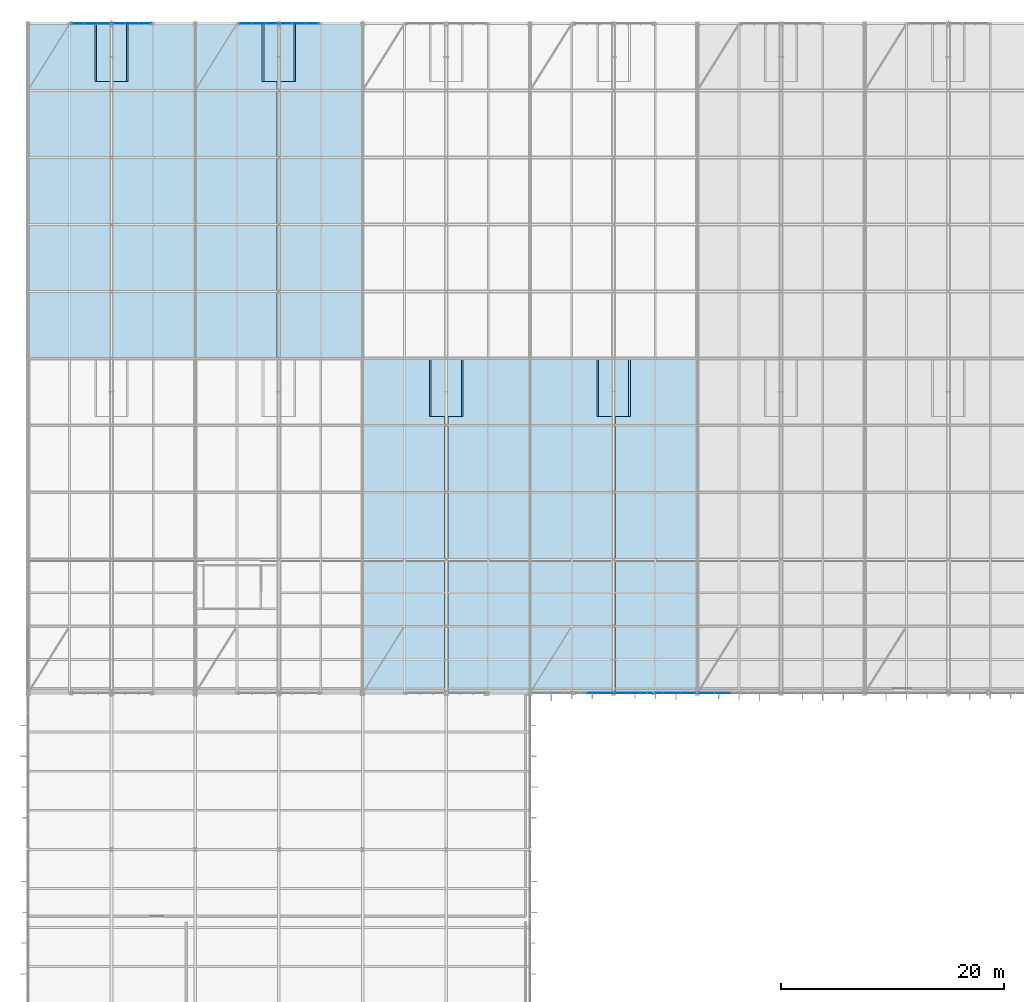
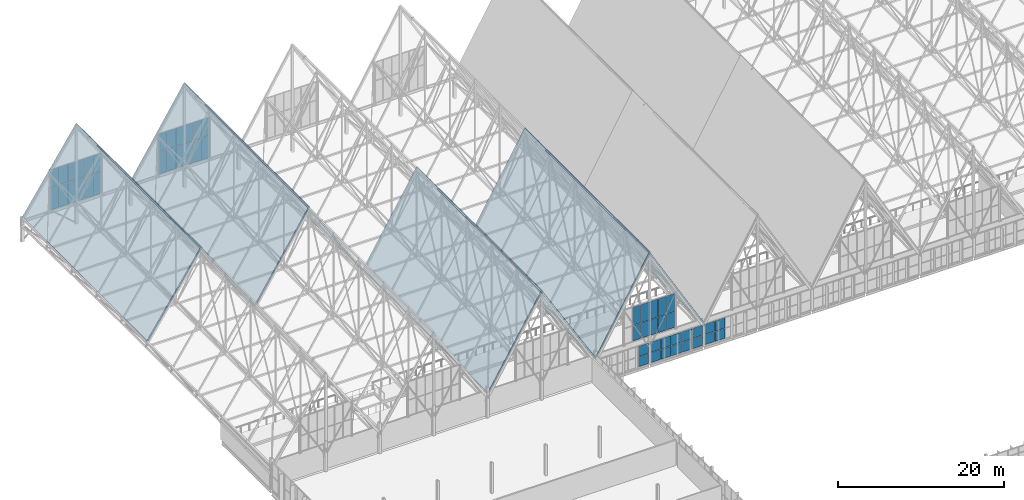
# One storey, part 274 of 324: 58 plates, 8 slabs, 6 elements without a shape of their own.
"""IFC4 building model written with IfcOpenShell, lengths in metres."""

from ifc_helpers import new_model, si_unit, direction, frame, origin, origin_2d, place, context, subcontext, project, spatial, polyline, rectangle, outline, extrude, material, layer, layer_set, type_object, element, aggregate, save


model = new_model("IFC4")

# Units and contexts
model_context = context("Model", 3, precision=1e-05, world=origin(), true_north=direction((0.0, 1.0)))
body_context = subcontext(model_context, "Body", "Model", "MODEL_VIEW")
ifc_project = project(units=[si_unit("LENGTHUNIT", "METRE"), si_unit("AREAUNIT", "SQUARE_METRE"), si_unit("VOLUMEUNIT", "CUBIC_METRE"), si_unit("PLANEANGLEUNIT", "RADIAN"), si_unit("MASSUNIT", "GRAM", prefix="KILO")], contexts=[model_context])

# Site, building, storey
site_placement = place(None, origin())
site = spatial("IfcSite", under=ifc_project, at=site_placement, CompositionType="ELEMENT")
building_placement = place(site_placement, origin())
building = spatial("IfcBuilding", under=site, at=building_placement, Name="Solvenia Promenade Tram Depot", CompositionType="ELEMENT")
storey_placement = place(building_placement, frame((0.0, 0.0, 4.5)))
storey = spatial("IfcBuildingStorey", under=building, at=storey_placement, Name="L01", CompositionType="ELEMENT", Elevation=4.5)

# Curtain wall, plates
ifc_material_1 = material(Name="Anodized aluminium AW-6063 T6", Category="aluminium")
ifc_layer_1 = layer(ifc_material_1, 0.159912109375, Name="Anodized aluminium AW-6063 T6", Category="aluminium")
ifc_layer_set_1 = layer_set([ifc_layer_1], Name="Anodized aluminium AW-6063 T6")
curtain_wall_type_1 = type_object("IfcCurtainWallType", Name="CW-Channel-1500", PredefinedType="NOTDEFINED", material=ifc_layer_set_1)
curtain_wall_1_placement = place(storey_placement, origin())
curtain_wall_1 = element("IfcCurtainWall", 1, at=curtain_wall_1_placement, inside=storey, type_object=curtain_wall_type_1, Name="Curtain Wall CW-V1S1-01", PredefinedType="NOTDEFINED")
ifc_material_2 = material(Name="Low-iron translucent U-profile channel glass", Category="glass")
ifc_layer_2 = layer(ifc_material_2, 0.028076171875, Name="Low-iron translucent U-profile channel glass", Category="glass")
ifc_layer_set_2 = layer_set([ifc_layer_2], Name="Low-iron translucent U-profile channel glass")
plate_type_1 = type_object("IfcPlateType", Name="CWP-Panel-1", PredefinedType="CURTAIN_PANEL", material=ifc_layer_set_2)
plate_1_placement = place(storey_placement, frame((51.673583984375, 66.0, 0.06494140625), z_axis=(0.0, 0.0, 1.0), x_axis=(1.0, 0.0, 0.0)))
plate_1 = element("IfcPlate", 2, at=plate_1_placement, type_object=plate_type_1, Name="CW-2 panel 5.1", PredefinedType="CURTAIN_PANEL", context=body_context, shape_type="SweptSolid", body=[
    extrude(rectangle(XDim=1.39306640625, YDim=0.028076171875, at=origin_2d()), origin(), (0.0, 0.0, 1.0), 1.452392578125),
])
plate_2_placement = place(storey_placement, frame((51.673583984375, 66.0, 1.58251953125), z_axis=(0.0, 0.0, 1.0), x_axis=(1.0, 0.0, 0.0)))
plate_2 = element("IfcPlate", 3, at=plate_2_placement, type_object=plate_type_1, Name="CW-2 panel 5.2", PredefinedType="CURTAIN_PANEL", context=body_context, shape_type="SweptSolid", body=[
    extrude(rectangle(XDim=1.39306640625, YDim=0.028076171875, at=origin_2d()), origin(), (0.0, 0.0, 1.0), 1.50244140625),
])
aggregate(curtain_wall_1, [plate_1, plate_2])

curtain_wall_2_placement = place(storey_placement, origin())
curtain_wall_2 = element("IfcCurtainWall", 4, at=curtain_wall_2_placement, inside=storey, type_object=curtain_wall_type_1, Name="Curtain Wall CW-V1S1-02", PredefinedType="NOTDEFINED")
plate_3_placement = place(storey_placement, frame((53.326416015625, 66.0, 0.06494140625), z_axis=(0.0, 0.0, 1.0), x_axis=(1.0, 0.0, 0.0)))
plate_3 = element("IfcPlate", 5, at=plate_3_placement, type_object=plate_type_1, Name="CW-2 panel 1.1", PredefinedType="CURTAIN_PANEL", context=body_context, shape_type="SweptSolid", body=[
    extrude(rectangle(XDim=1.39306640625, YDim=0.028076171875, at=origin_2d()), origin(), (0.0, 0.0, 1.0), 1.452392578125),
])
plate_4_placement = place(storey_placement, frame((53.326416015625, 66.0, 1.58251953125), z_axis=(0.0, 0.0, 1.0), x_axis=(1.0, 0.0, 0.0)))
plate_4 = element("IfcPlate", 6, at=plate_4_placement, type_object=plate_type_1, Name="CW-2 panel 1.2", PredefinedType="CURTAIN_PANEL", context=body_context, shape_type="SweptSolid", body=[
    extrude(rectangle(XDim=1.39306640625, YDim=0.028076171875, at=origin_2d()), origin(), (0.0, 0.0, 1.0), 1.50244140625),
])
plate_5_placement = place(storey_placement, frame((54.781982421875, 66.0, 0.06494140625), z_axis=(0.0, 0.0, 1.0), x_axis=(1.0, 0.0, 0.0)))
plate_5 = element("IfcPlate", 7, at=plate_5_placement, type_object=plate_type_1, Name="CW-2 panel 2.1", PredefinedType="CURTAIN_PANEL", context=body_context, shape_type="SweptSolid", body=[
    extrude(rectangle(XDim=1.41796875, YDim=0.028076171875, at=origin_2d()), origin(), (0.0, 0.0, 1.0), 1.452392578125),
])
plate_6_placement = place(storey_placement, frame((54.781982421875, 66.0, 1.58251953125), z_axis=(0.0, 0.0, 1.0), x_axis=(1.0, 0.0, 0.0)))
plate_6 = element("IfcPlate", 8, at=plate_6_placement, type_object=plate_type_1, Name="CW-2 panel 2.2", PredefinedType="CURTAIN_PANEL", context=body_context, shape_type="SweptSolid", body=[
    extrude(rectangle(XDim=1.41796875, YDim=0.028076171875, at=origin_2d()), origin(), (0.0, 0.0, 1.0), 1.50244140625),
])
plate_7_placement = place(storey_placement, frame((56.25, 66.0, 0.06494140625), z_axis=(0.0, 0.0, 1.0), x_axis=(1.0, 0.0, 0.0)))
plate_7 = element("IfcPlate", 9, at=plate_7_placement, type_object=plate_type_1, Name="CW-2 panel 3.1", PredefinedType="CURTAIN_PANEL", context=body_context, shape_type="SweptSolid", body=[
    extrude(rectangle(XDim=1.41796875, YDim=0.028076171875, at=origin_2d()), origin(), (0.0, 0.0, 1.0), 1.452392578125),
])
plate_8_placement = place(storey_placement, frame((56.25, 66.0, 1.58251953125), z_axis=(0.0, 0.0, 1.0), x_axis=(1.0, 0.0, 0.0)))
plate_8 = element("IfcPlate", 10, at=plate_8_placement, type_object=plate_type_1, Name="CW-2 panel 3.2", PredefinedType="CURTAIN_PANEL", context=body_context, shape_type="SweptSolid", body=[
    extrude(rectangle(XDim=1.41796875, YDim=0.028076171875, at=origin_2d()), origin(), (0.0, 0.0, 1.0), 1.50244140625),
])
plate_9_placement = place(storey_placement, frame((57.718017578125, 66.0, 0.06494140625), z_axis=(0.0, 0.0, 1.0), x_axis=(1.0, 0.0, 0.0)))
plate_9 = element("IfcPlate", 11, at=plate_9_placement, type_object=plate_type_1, Name="CW-2 panel 4.1", PredefinedType="CURTAIN_PANEL", context=body_context, shape_type="SweptSolid", body=[
    extrude(rectangle(XDim=1.41796875, YDim=0.028076171875, at=origin_2d()), origin(), (0.0, 0.0, 1.0), 1.452392578125),
])
plate_10_placement = place(storey_placement, frame((57.718017578125, 66.0, 1.58251953125), z_axis=(0.0, 0.0, 1.0), x_axis=(1.0, 0.0, 0.0)))
plate_10 = element("IfcPlate", 12, at=plate_10_placement, type_object=plate_type_1, Name="CW-2 panel 4.2", PredefinedType="CURTAIN_PANEL", context=body_context, shape_type="SweptSolid", body=[
    extrude(rectangle(XDim=1.41796875, YDim=0.028076171875, at=origin_2d()), origin(), (0.0, 0.0, 1.0), 1.50244140625),
])
plate_11_placement = place(storey_placement, frame((59.173583984375, 66.0, 0.06494140625), z_axis=(0.0, 0.0, 1.0), x_axis=(1.0, 0.0, 0.0)))
plate_11 = element("IfcPlate", 13, at=plate_11_placement, type_object=plate_type_1, Name="CW-2 panel 5.1", PredefinedType="CURTAIN_PANEL", context=body_context, shape_type="SweptSolid", body=[
    extrude(rectangle(XDim=1.39306640625, YDim=0.028076171875, at=origin_2d()), origin(), (0.0, 0.0, 1.0), 1.452392578125),
])
plate_12_placement = place(storey_placement, frame((59.173583984375, 66.0, 1.58251953125), z_axis=(0.0, 0.0, 1.0), x_axis=(1.0, 0.0, 0.0)))
plate_12 = element("IfcPlate", 14, at=plate_12_placement, type_object=plate_type_1, Name="CW-2 panel 5.2", PredefinedType="CURTAIN_PANEL", context=body_context, shape_type="SweptSolid", body=[
    extrude(rectangle(XDim=1.39306640625, YDim=0.028076171875, at=origin_2d()), origin(), (0.0, 0.0, 1.0), 1.50244140625),
])
aggregate(curtain_wall_2, [plate_3, plate_4, plate_5, plate_6, plate_7, plate_8, plate_9, plate_10, plate_11, plate_12])

curtain_wall_3_placement = place(storey_placement, origin())
curtain_wall_3 = element("IfcCurtainWall", 15, at=curtain_wall_3_placement, inside=storey, type_object=curtain_wall_type_1, Name="Curtain Wall CW-V1S1-03", PredefinedType="NOTDEFINED")
plate_13_placement = place(storey_placement, frame((60.826416015625, 66.0, 0.06494140625), z_axis=(0.0, 0.0, 1.0), x_axis=(1.0, 0.0, 0.0)))
plate_13 = element("IfcPlate", 16, at=plate_13_placement, type_object=plate_type_1, Name="CW-2 panel 1.1", PredefinedType="CURTAIN_PANEL", context=body_context, shape_type="SweptSolid", body=[
    extrude(rectangle(XDim=1.39306640625, YDim=0.028076171875, at=origin_2d()), origin(), (0.0, 0.0, 1.0), 1.452392578125),
])
plate_14_placement = place(storey_placement, frame((60.826416015625, 66.0, 1.58251953125), z_axis=(0.0, 0.0, 1.0), x_axis=(1.0, 0.0, 0.0)))
plate_14 = element("IfcPlate", 17, at=plate_14_placement, type_object=plate_type_1, Name="CW-2 panel 1.2", PredefinedType="CURTAIN_PANEL", context=body_context, shape_type="SweptSolid", body=[
    extrude(rectangle(XDim=1.39306640625, YDim=0.028076171875, at=origin_2d()), origin(), (0.0, 0.0, 1.0), 1.50244140625),
])
plate_15_placement = place(storey_placement, frame((62.281982421875, 66.0, 0.06494140625), z_axis=(0.0, 0.0, 1.0), x_axis=(1.0, 0.0, 0.0)))
plate_15 = element("IfcPlate", 18, at=plate_15_placement, type_object=plate_type_1, Name="CW-2 panel 2.1", PredefinedType="CURTAIN_PANEL", context=body_context, shape_type="SweptSolid", body=[
    extrude(rectangle(XDim=1.41796875, YDim=0.028076171875, at=origin_2d()), origin(), (0.0, 0.0, 1.0), 1.452392578125),
])
plate_16_placement = place(storey_placement, frame((62.281982421875, 66.0, 1.58251953125), z_axis=(0.0, 0.0, 1.0), x_axis=(1.0, 0.0, 0.0)))
plate_16 = element("IfcPlate", 19, at=plate_16_placement, type_object=plate_type_1, Name="CW-2 panel 2.2", PredefinedType="CURTAIN_PANEL", context=body_context, shape_type="SweptSolid", body=[
    extrude(rectangle(XDim=1.41796875, YDim=0.028076171875, at=origin_2d()), origin(), (0.0, 0.0, 1.0), 1.50244140625),
])
aggregate(curtain_wall_3, [plate_13, plate_14, plate_15, plate_16])

ifc_layer_3 = layer(ifc_material_1, 0.14990234375, Name="Anodized aluminium AW-6063 T6", Category="aluminium")
ifc_layer_set_3 = layer_set([ifc_layer_3], Name="Anodized aluminium AW-6063 T6")
curtain_wall_type_2 = type_object("IfcCurtainWallType", Name="CW-Gable-1200", PredefinedType="NOTDEFINED", material=ifc_layer_set_3)
curtain_wall_4_placement = place(storey_placement, origin())
curtain_wall_4 = element("IfcCurtainWall", 20, at=curtain_wall_4_placement, inside=storey, type_object=curtain_wall_type_2, Name="South Zigzag Gable 04 Peak Glazing", PredefinedType="NOTDEFINED")
plate_17_placement = place(storey_placement, frame((50.699951171875, 66.0, 4.10791015625), z_axis=(0.0, 0.0, 1.0), x_axis=(1.0, 0.0, 0.0)))
plate_17 = element("IfcPlate", 21, at=plate_17_placement, type_object=plate_type_1, Name="CW-3 panel 2.1", PredefinedType="CURTAIN_PANEL", context=body_context, shape_type="SweptSolid", body=[
    extrude(rectangle(XDim=1.152099609375, YDim=0.028076171875, at=origin_2d()), origin(), (0.0, 0.0, 1.0), 2.262939453125),
])
plate_18_placement = place(storey_placement, frame((50.699951171875, 66.0, 6.428955078125), z_axis=(0.0, 0.0, 1.0), x_axis=(1.0, 0.0, 0.0)))
plate_18 = element("IfcPlate", 22, at=plate_18_placement, type_object=plate_type_1, Name="CW-3 panel 2.2", PredefinedType="CURTAIN_PANEL", context=body_context, shape_type="SweptSolid", body=[
    extrude(rectangle(XDim=1.152099609375, YDim=0.028076171875, at=origin_2d()), origin(), (0.0, 0.0, 1.0), 2.6630859375),
])
plate_19_placement = place(storey_placement, frame((51.89990234375, 66.0, 4.10791015625), z_axis=(0.0, 0.0, 1.0), x_axis=(1.0, 0.0, 0.0)))
plate_19 = element("IfcPlate", 23, at=plate_19_placement, type_object=plate_type_1, Name="CW-3 panel 3.1", PredefinedType="CURTAIN_PANEL", context=body_context, shape_type="SweptSolid", body=[
    extrude(rectangle(XDim=1.152099609375, YDim=0.028076171875, at=origin_2d()), origin(), (0.0, 0.0, 1.0), 2.262939453125),
])
plate_20_placement = place(storey_placement, frame((51.89990234375, 66.0, 6.428955078125), z_axis=(0.0, 0.0, 1.0), x_axis=(1.0, 0.0, 0.0)))
plate_20 = element("IfcPlate", 24, at=plate_20_placement, type_object=plate_type_1, Name="CW-3 panel 3.2", PredefinedType="CURTAIN_PANEL", context=body_context, shape_type="SweptSolid", body=[
    extrude(rectangle(XDim=1.152099609375, YDim=0.028076171875, at=origin_2d()), origin(), (0.0, 0.0, 1.0), 2.6630859375),
])
plate_21_placement = place(storey_placement, frame((53.10009765625, 66.0, 4.10791015625), z_axis=(0.0, 0.0, 1.0), x_axis=(1.0, 0.0, 0.0)))
plate_21 = element("IfcPlate", 25, at=plate_21_placement, type_object=plate_type_1, Name="CW-3 panel 4.1", PredefinedType="CURTAIN_PANEL", context=body_context, shape_type="SweptSolid", body=[
    extrude(rectangle(XDim=1.152099609375, YDim=0.028076171875, at=origin_2d()), origin(), (0.0, 0.0, 1.0), 2.262939453125),
])
plate_22_placement = place(storey_placement, frame((53.10009765625, 66.0, 6.428955078125), z_axis=(0.0, 0.0, 1.0), x_axis=(1.0, 0.0, 0.0)))
plate_22 = element("IfcPlate", 26, at=plate_22_placement, type_object=plate_type_1, Name="CW-3 panel 4.2", PredefinedType="CURTAIN_PANEL", context=body_context, shape_type="SweptSolid", body=[
    extrude(rectangle(XDim=1.152099609375, YDim=0.028076171875, at=origin_2d()), origin(), (0.0, 0.0, 1.0), 2.6630859375),
])
plate_23_placement = place(storey_placement, frame((54.300048828125, 66.0, 4.10791015625), z_axis=(0.0, 0.0, 1.0), x_axis=(1.0, 0.0, 0.0)))
plate_23 = element("IfcPlate", 27, at=plate_23_placement, type_object=plate_type_1, Name="CW-3 panel 5.1", PredefinedType="CURTAIN_PANEL", context=body_context, shape_type="SweptSolid", body=[
    extrude(rectangle(XDim=1.152099609375, YDim=0.028076171875, at=origin_2d()), origin(), (0.0, 0.0, 1.0), 2.262939453125),
])
plate_24_placement = place(storey_placement, frame((54.300048828125, 66.0, 6.428955078125), z_axis=(0.0, 0.0, 1.0), x_axis=(1.0, 0.0, 0.0)))
plate_24 = element("IfcPlate", 28, at=plate_24_placement, type_object=plate_type_1, Name="CW-3 panel 5.2", PredefinedType="CURTAIN_PANEL", context=body_context, shape_type="SweptSolid", body=[
    extrude(rectangle(XDim=1.152099609375, YDim=0.028076171875, at=origin_2d()), origin(), (0.0, 0.0, 1.0), 2.6630859375),
])
plate_25_placement = place(storey_placement, frame((55.488037109375, 66.0, 4.10791015625), z_axis=(0.0, 0.0, 1.0), x_axis=(1.0, 0.0, 0.0)))
plate_25 = element("IfcPlate", 29, at=plate_25_placement, type_object=plate_type_1, Name="CW-3 panel 6.1", PredefinedType="CURTAIN_PANEL", context=body_context, shape_type="SweptSolid", body=[
    extrude(rectangle(XDim=1.1279296875, YDim=0.028076171875, at=origin_2d()), origin(), (0.0, 0.0, 1.0), 2.262939453125),
])
plate_26_placement = place(storey_placement, frame((55.488037109375, 66.0, 6.428955078125), z_axis=(0.0, 0.0, 1.0), x_axis=(1.0, 0.0, 0.0)))
plate_26 = element("IfcPlate", 30, at=plate_26_placement, type_object=plate_type_1, Name="CW-3 panel 6.2", PredefinedType="CURTAIN_PANEL", context=body_context, shape_type="SweptSolid", body=[
    extrude(rectangle(XDim=1.1279296875, YDim=0.028076171875, at=origin_2d()), origin(), (0.0, 0.0, 1.0), 2.6630859375),
])
aggregate(curtain_wall_4, [plate_17, plate_18, plate_19, plate_20, plate_21, plate_22, plate_23, plate_24, plate_25, plate_26])

curtain_wall_5_placement = place(storey_placement, origin())
curtain_wall_5 = element("IfcCurtainWall", 31, at=curtain_wall_5_placement, inside=storey, type_object=curtain_wall_type_2, Name="North Zigzag Gable 01 Peak Glazing", PredefinedType="NOTDEFINED")
plate_27_placement = place(storey_placement, frame((4.511962890625, 126.0, 3.157958984375), z_axis=(0.0, 0.0, 1.0), x_axis=(1.0, 0.0, 0.0)))
plate_27 = element("IfcPlate", 32, at=plate_27_placement, type_object=plate_type_1, Name="CW-3 panel 1.1", PredefinedType="CURTAIN_PANEL", context=body_context, shape_type="SweptSolid", body=[
    extrude(rectangle(XDim=1.1279296875, YDim=0.028076171875, at=origin_2d()), origin(), (0.0, 0.0, 1.0), 3.212890625),
])
plate_28_placement = place(storey_placement, frame((4.511962890625, 126.0, 6.428955078125), z_axis=(0.0, 0.0, 1.0), x_axis=(1.0, 0.0, 0.0)))
plate_28 = element("IfcPlate", 33, at=plate_28_placement, type_object=plate_type_1, Name="CW-3 panel 1.2", PredefinedType="CURTAIN_PANEL", context=body_context, shape_type="SweptSolid", body=[
    extrude(rectangle(XDim=1.1279296875, YDim=0.028076171875, at=origin_2d()), origin(), (0.0, 0.0, 1.0), 2.6630859375),
])
plate_29_placement = place(storey_placement, frame((5.699951171875, 126.0, 3.157958984375), z_axis=(0.0, 0.0, 1.0), x_axis=(1.0, 0.0, 0.0)))
plate_29 = element("IfcPlate", 34, at=plate_29_placement, type_object=plate_type_1, Name="CW-3 panel 2.1", PredefinedType="CURTAIN_PANEL", context=body_context, shape_type="SweptSolid", body=[
    extrude(rectangle(XDim=1.152099609375, YDim=0.028076171875, at=origin_2d()), origin(), (0.0, 0.0, 1.0), 3.212890625),
])
plate_30_placement = place(storey_placement, frame((5.699951171875, 126.0, 6.428955078125), z_axis=(0.0, 0.0, 1.0), x_axis=(1.0, 0.0, 0.0)))
plate_30 = element("IfcPlate", 35, at=plate_30_placement, type_object=plate_type_1, Name="CW-3 panel 2.2", PredefinedType="CURTAIN_PANEL", context=body_context, shape_type="SweptSolid", body=[
    extrude(rectangle(XDim=1.152099609375, YDim=0.028076171875, at=origin_2d()), origin(), (0.0, 0.0, 1.0), 2.6630859375),
])
plate_31_placement = place(storey_placement, frame((6.89990234375, 126.0, 3.157958984375), z_axis=(0.0, 0.0, 1.0), x_axis=(1.0, 0.0, 0.0)))
plate_31 = element("IfcPlate", 36, at=plate_31_placement, type_object=plate_type_1, Name="CW-3 panel 3.1", PredefinedType="CURTAIN_PANEL", context=body_context, shape_type="SweptSolid", body=[
    extrude(rectangle(XDim=1.152099609375, YDim=0.028076171875, at=origin_2d()), origin(), (0.0, 0.0, 1.0), 3.212890625),
])
plate_32_placement = place(storey_placement, frame((6.89990234375, 126.0, 6.428955078125), z_axis=(0.0, 0.0, 1.0), x_axis=(1.0, 0.0, 0.0)))
plate_32 = element("IfcPlate", 37, at=plate_32_placement, type_object=plate_type_1, Name="CW-3 panel 3.2", PredefinedType="CURTAIN_PANEL", context=body_context, shape_type="SweptSolid", body=[
    extrude(rectangle(XDim=1.152099609375, YDim=0.028076171875, at=origin_2d()), origin(), (0.0, 0.0, 1.0), 2.6630859375),
])
plate_33_placement = place(storey_placement, frame((8.10009765625, 126.0, 3.157958984375), z_axis=(0.0, 0.0, 1.0), x_axis=(1.0, 0.0, 0.0)))
plate_33 = element("IfcPlate", 38, at=plate_33_placement, type_object=plate_type_1, Name="CW-3 panel 4.1", PredefinedType="CURTAIN_PANEL", context=body_context, shape_type="SweptSolid", body=[
    extrude(rectangle(XDim=1.152099609375, YDim=0.028076171875, at=origin_2d()), origin(), (0.0, 0.0, 1.0), 3.212890625),
])
plate_34_placement = place(storey_placement, frame((8.10009765625, 126.0, 6.428955078125), z_axis=(0.0, 0.0, 1.0), x_axis=(1.0, 0.0, 0.0)))
plate_34 = element("IfcPlate", 39, at=plate_34_placement, type_object=plate_type_1, Name="CW-3 panel 4.2", PredefinedType="CURTAIN_PANEL", context=body_context, shape_type="SweptSolid", body=[
    extrude(rectangle(XDim=1.152099609375, YDim=0.028076171875, at=origin_2d()), origin(), (0.0, 0.0, 1.0), 2.6630859375),
])
plate_35_placement = place(storey_placement, frame((9.300048828125, 126.0, 3.157958984375), z_axis=(0.0, 0.0, 1.0), x_axis=(1.0, 0.0, 0.0)))
plate_35 = element("IfcPlate", 40, at=plate_35_placement, type_object=plate_type_1, Name="CW-3 panel 5.1", PredefinedType="CURTAIN_PANEL", context=body_context, shape_type="SweptSolid", body=[
    extrude(rectangle(XDim=1.152099609375, YDim=0.028076171875, at=origin_2d()), origin(), (0.0, 0.0, 1.0), 3.212890625),
])
plate_36_placement = place(storey_placement, frame((9.300048828125, 126.0, 6.428955078125), z_axis=(0.0, 0.0, 1.0), x_axis=(1.0, 0.0, 0.0)))
plate_36 = element("IfcPlate", 41, at=plate_36_placement, type_object=plate_type_1, Name="CW-3 panel 5.2", PredefinedType="CURTAIN_PANEL", context=body_context, shape_type="SweptSolid", body=[
    extrude(rectangle(XDim=1.152099609375, YDim=0.028076171875, at=origin_2d()), origin(), (0.0, 0.0, 1.0), 2.6630859375),
])
plate_37_placement = place(storey_placement, frame((10.488037109375, 126.0, 3.157958984375), z_axis=(0.0, 0.0, 1.0), x_axis=(1.0, 0.0, 0.0)))
plate_37 = element("IfcPlate", 42, at=plate_37_placement, type_object=plate_type_1, Name="CW-3 panel 6.1", PredefinedType="CURTAIN_PANEL", context=body_context, shape_type="SweptSolid", body=[
    extrude(rectangle(XDim=1.1279296875, YDim=0.028076171875, at=origin_2d()), origin(), (0.0, 0.0, 1.0), 3.212890625),
])
plate_38_placement = place(storey_placement, frame((10.488037109375, 126.0, 6.428955078125), z_axis=(0.0, 0.0, 1.0), x_axis=(1.0, 0.0, 0.0)))
plate_38 = element("IfcPlate", 43, at=plate_38_placement, type_object=plate_type_1, Name="CW-3 panel 6.2", PredefinedType="CURTAIN_PANEL", context=body_context, shape_type="SweptSolid", body=[
    extrude(rectangle(XDim=1.1279296875, YDim=0.028076171875, at=origin_2d()), origin(), (0.0, 0.0, 1.0), 2.6630859375),
])
aggregate(curtain_wall_5, [plate_27, plate_28, plate_29, plate_30, plate_31, plate_32, plate_33, plate_34, plate_35, plate_36, plate_37, plate_38])

curtain_wall_6_placement = place(storey_placement, origin())
curtain_wall_6 = element("IfcCurtainWall", 44, at=curtain_wall_6_placement, inside=storey, type_object=curtain_wall_type_2, Name="North Zigzag Gable 02 Peak Glazing", PredefinedType="NOTDEFINED")
plate_39_placement = place(storey_placement, frame((19.511962890625, 126.0, 3.157958984375), z_axis=(0.0, 0.0, 1.0), x_axis=(1.0, 0.0, 0.0)))
plate_39 = element("IfcPlate", 45, at=plate_39_placement, type_object=plate_type_1, Name="CW-3 panel 1.1", PredefinedType="CURTAIN_PANEL", context=body_context, shape_type="SweptSolid", body=[
    extrude(rectangle(XDim=1.1279296875, YDim=0.028076171875, at=origin_2d()), origin(), (0.0, 0.0, 1.0), 3.212890625),
])
plate_40_placement = place(storey_placement, frame((19.511962890625, 126.0, 6.428955078125), z_axis=(0.0, 0.0, 1.0), x_axis=(1.0, 0.0, 0.0)))
plate_40 = element("IfcPlate", 46, at=plate_40_placement, type_object=plate_type_1, Name="CW-3 panel 1.2", PredefinedType="CURTAIN_PANEL", context=body_context, shape_type="SweptSolid", body=[
    extrude(rectangle(XDim=1.1279296875, YDim=0.028076171875, at=origin_2d()), origin(), (0.0, 0.0, 1.0), 2.6630859375),
])
plate_41_placement = place(storey_placement, frame((20.699951171875, 126.0, 3.157958984375), z_axis=(0.0, 0.0, 1.0), x_axis=(1.0, 0.0, 0.0)))
plate_41 = element("IfcPlate", 47, at=plate_41_placement, type_object=plate_type_1, Name="CW-3 panel 2.1", PredefinedType="CURTAIN_PANEL", context=body_context, shape_type="SweptSolid", body=[
    extrude(rectangle(XDim=1.152099609375, YDim=0.028076171875, at=origin_2d()), origin(), (0.0, 0.0, 1.0), 3.212890625),
])
plate_42_placement = place(storey_placement, frame((20.699951171875, 126.0, 6.428955078125), z_axis=(0.0, 0.0, 1.0), x_axis=(1.0, 0.0, 0.0)))
plate_42 = element("IfcPlate", 48, at=plate_42_placement, type_object=plate_type_1, Name="CW-3 panel 2.2", PredefinedType="CURTAIN_PANEL", context=body_context, shape_type="SweptSolid", body=[
    extrude(rectangle(XDim=1.152099609375, YDim=0.028076171875, at=origin_2d()), origin(), (0.0, 0.0, 1.0), 2.6630859375),
])
plate_43_placement = place(storey_placement, frame((21.89990234375, 126.0, 3.157958984375), z_axis=(0.0, 0.0, 1.0), x_axis=(1.0, 0.0, 0.0)))
plate_43 = element("IfcPlate", 49, at=plate_43_placement, type_object=plate_type_1, Name="CW-3 panel 3.1", PredefinedType="CURTAIN_PANEL", context=body_context, shape_type="SweptSolid", body=[
    extrude(rectangle(XDim=1.152099609375, YDim=0.028076171875, at=origin_2d()), origin(), (0.0, 0.0, 1.0), 3.212890625),
])
plate_44_placement = place(storey_placement, frame((21.89990234375, 126.0, 6.428955078125), z_axis=(0.0, 0.0, 1.0), x_axis=(1.0, 0.0, 0.0)))
plate_44 = element("IfcPlate", 50, at=plate_44_placement, type_object=plate_type_1, Name="CW-3 panel 3.2", PredefinedType="CURTAIN_PANEL", context=body_context, shape_type="SweptSolid", body=[
    extrude(rectangle(XDim=1.152099609375, YDim=0.028076171875, at=origin_2d()), origin(), (0.0, 0.0, 1.0), 2.6630859375),
])
plate_45_placement = place(storey_placement, frame((23.10009765625, 126.0, 3.157958984375), z_axis=(0.0, 0.0, 1.0), x_axis=(1.0, 0.0, 0.0)))
plate_45 = element("IfcPlate", 51, at=plate_45_placement, type_object=plate_type_1, Name="CW-3 panel 4.1", PredefinedType="CURTAIN_PANEL", context=body_context, shape_type="SweptSolid", body=[
    extrude(rectangle(XDim=1.152099609375, YDim=0.028076171875, at=origin_2d()), origin(), (0.0, 0.0, 1.0), 3.212890625),
])
plate_46_placement = place(storey_placement, frame((23.10009765625, 126.0, 6.428955078125), z_axis=(0.0, 0.0, 1.0), x_axis=(1.0, 0.0, 0.0)))
plate_46 = element("IfcPlate", 52, at=plate_46_placement, type_object=plate_type_1, Name="CW-3 panel 4.2", PredefinedType="CURTAIN_PANEL", context=body_context, shape_type="SweptSolid", body=[
    extrude(rectangle(XDim=1.152099609375, YDim=0.028076171875, at=origin_2d()), origin(), (0.0, 0.0, 1.0), 2.6630859375),
])
plate_47_placement = place(storey_placement, frame((24.300048828125, 126.0, 3.157958984375), z_axis=(0.0, 0.0, 1.0), x_axis=(1.0, 0.0, 0.0)))
plate_47 = element("IfcPlate", 53, at=plate_47_placement, type_object=plate_type_1, Name="CW-3 panel 5.1", PredefinedType="CURTAIN_PANEL", context=body_context, shape_type="SweptSolid", body=[
    extrude(rectangle(XDim=1.152099609375, YDim=0.028076171875, at=origin_2d()), origin(), (0.0, 0.0, 1.0), 3.212890625),
])
plate_48_placement = place(storey_placement, frame((24.300048828125, 126.0, 6.428955078125), z_axis=(0.0, 0.0, 1.0), x_axis=(1.0, 0.0, 0.0)))
plate_48 = element("IfcPlate", 54, at=plate_48_placement, type_object=plate_type_1, Name="CW-3 panel 5.2", PredefinedType="CURTAIN_PANEL", context=body_context, shape_type="SweptSolid", body=[
    extrude(rectangle(XDim=1.152099609375, YDim=0.028076171875, at=origin_2d()), origin(), (0.0, 0.0, 1.0), 2.6630859375),
])
plate_49_placement = place(storey_placement, frame((25.488037109375, 126.0, 3.157958984375), z_axis=(0.0, 0.0, 1.0), x_axis=(1.0, 0.0, 0.0)))
plate_49 = element("IfcPlate", 55, at=plate_49_placement, type_object=plate_type_1, Name="CW-3 panel 6.1", PredefinedType="CURTAIN_PANEL", context=body_context, shape_type="SweptSolid", body=[
    extrude(rectangle(XDim=1.1279296875, YDim=0.028076171875, at=origin_2d()), origin(), (0.0, 0.0, 1.0), 3.212890625),
])
plate_50_placement = place(storey_placement, frame((25.488037109375, 126.0, 6.428955078125), z_axis=(0.0, 0.0, 1.0), x_axis=(1.0, 0.0, 0.0)))
plate_50 = element("IfcPlate", 56, at=plate_50_placement, type_object=plate_type_1, Name="CW-3 panel 6.2", PredefinedType="CURTAIN_PANEL", context=body_context, shape_type="SweptSolid", body=[
    extrude(rectangle(XDim=1.1279296875, YDim=0.028076171875, at=origin_2d()), origin(), (0.0, 0.0, 1.0), 2.6630859375),
])
aggregate(curtain_wall_6, [plate_39, plate_40, plate_41, plate_42, plate_43, plate_44, plate_45, plate_46, plate_47, plate_48, plate_49, plate_50])

# Plates
ifc_material_3 = material(Name="Translucent multi-wall insulated polycarbonate cassette", Category="other")
ifc_layer_4 = layer(ifc_material_3, 0.0419921875, Name="Translucent multi-wall insulated polycarbonate cassette", Category="other")
ifc_layer_set_4 = layer_set([ifc_layer_4], Name="Translucent multi-wall insulated polycarbonate cassette")
plate_type_2 = type_object("IfcPlateType", Name="DaylightCassette-1", PredefinedType="SHEET", material=ifc_layer_set_4)
for number, where, z_axis, x_axis, name in (
    (57, (30.0, 66.0, 3.5419921875), (-0.857439712718, 0.0, 0.514584433357), (0.0, 1.0, 0.0), "Insulated Daylight Gable 03 West Skylight Cladding 1"),
    (58, (37.5, 66.0, 16.0390625), (0.857439712718, 0.0, 0.514584433357), (0.0, 1.0, 0.0), "Insulated Daylight Gable 03 East Skylight Cladding 1"),
):
    element("IfcPlate", number, at=place(storey_placement, frame(where, z_axis=z_axis, x_axis=x_axis)), inside=storey, type_object=plate_type_2, Name=name, PredefinedType="SHEET", context=body_context, shape_type="SweptSolid", body=[
        extrude(outline(polyline([(0.0, 0.0), (30.0, 0.0), (30.0, -14.574867628749457), (0.0, -14.574867628749457), (0.0, 0.0)])), origin(), (0.0, 0.0, -1.0), 0.0419921875),
    ])
for number, where, z_axis, x_axis, name in (
    (59, (45.0, 66.0, 3.5419921875), (-0.865148214095, 0.0, 0.501516268578), (0.0, 1.0, 0.0), "Insulated Daylight Gable 04 West Skylight Cladding 1"),
    (60, (52.5, 66.0, 16.47998046875), (0.865148214095, 0.0, 0.501516268578), (0.0, 1.0, 0.0), "Insulated Daylight Gable 04 East Skylight Cladding 1"),
):
    element("IfcPlate", number, at=place(storey_placement, frame(where, z_axis=z_axis, x_axis=x_axis)), inside=storey, type_object=plate_type_2, Name=name, PredefinedType="SHEET", context=body_context, shape_type="SweptSolid", body=[
        extrude(outline(polyline([(0.0, 0.0), (30.0, 0.0), (30.0, -14.954649469839215), (0.0, -14.954649469839215), (0.0, 0.0)])), origin(), (0.0, 0.0, -1.0), 0.0419921875),
    ])
for number, where, z_axis, x_axis, name in (
    (61, (0.0, 96.0, 3.5419921875), (-0.830332770175, 0.0, 0.557267880623), (0.0, 1.0, 0.0), "Insulated Daylight Gable 01 West Skylight Cladding 2"),
    (62, (7.5, 96.0, 14.717041015625), (0.830332770175, 0.0, 0.557267880623), (0.0, 1.0, 0.0), "Insulated Daylight Gable 01 East Skylight Cladding 2"),
):
    element("IfcPlate", number, at=place(storey_placement, frame(where, z_axis=z_axis, x_axis=x_axis)), inside=storey, type_object=plate_type_2, Name=name, PredefinedType="SHEET", context=body_context, shape_type="SweptSolid", body=[
        extrude(outline(polyline([(0.0, 0.0), (30.0, 0.0), (30.0, -13.45851835496679), (0.0, -13.45851835496679), (0.0, 0.0)])), origin(), (0.0, 0.0, -1.0), 0.0419921875),
    ])
for number, where, z_axis, x_axis, name in (
    (63, (15.0, 96.0, 3.5419921875), (-0.845790850581, 0.0, 0.533514608116), (0.0, 1.0, 0.0), "Insulated Daylight Gable 02 West Skylight Cladding 2"),
    (64, (22.5, 96.0, 15.431884765625), (0.845790850581, 0.0, 0.533514608116), (0.0, 1.0, 0.0), "Insulated Daylight Gable 02 East Skylight Cladding 2"),
):
    element("IfcPlate", number, at=place(storey_placement, frame(where, z_axis=z_axis, x_axis=x_axis)), inside=storey, type_object=plate_type_2, Name=name, PredefinedType="SHEET", context=body_context, shape_type="SweptSolid", body=[
        extrude(outline(polyline([(0.0, 0.0), (30.0, 0.0), (30.0, -14.057721917841167), (0.0, -14.057721917841167), (0.0, 0.0)])), origin(), (0.0, 0.0, -1.0), 0.0419921875),
    ])

# Slabs
ifc_material_4 = material(Name="Concrete C28/35", Category="concrete")
ifc_layer_5 = layer(ifc_material_4, 0.179931640625, Name="Concrete C28/35", Category="concrete")
ifc_layer_set_5 = layer_set([ifc_layer_5], Name="Concrete C28/35")
slab_type = type_object("IfcSlabType", Name="Slab-Valley-180", PredefinedType="ROOF", material=ifc_layer_set_5)
slab_1_placement = place(storey_placement, frame((30.0, 66.0, 3.5), z_axis=(-0.857439394144, 8.67618e-07, 0.514584964189), x_axis=(7.4393e-07, 1.0, -4.46463e-07)))
element("IfcSlab", 65, at=slab_1_placement, inside=storey, type_object=slab_type, Name="Zigzag Gable 03 West Roof Deck 1", PredefinedType="ROOF", context=body_context, shape_type="SweptSolid", body=[
    extrude(outline(polyline([(0.0, 0.0), (29.99999999998871, -3.1763735522036263e-21), (30.000000000026045, -11.659810368681498), (24.800048828153002, -11.659810368681498), (24.80004882810784, -14.574867628746667), (-7.828636589325992e-12, -14.574867628746667), (0.0, 0.0)])), origin(), (0.0, 0.0, -1.0), 0.179931640625),
])
slab_2_placement = place(storey_placement, frame((37.5, 66.0, 15.9970703125), z_axis=(0.857439394144, 8.67618e-07, 0.514584964189), x_axis=(-7.4393e-07, 1.0, -4.46463e-07)))
element("IfcSlab", 66, at=slab_2_placement, inside=storey, type_object=slab_type, Name="Zigzag Gable 03 East Roof Deck 1", PredefinedType="ROOF", context=body_context, shape_type="SweptSolid", body=[
    extrude(outline(polyline([(0.0, 0.0), (24.800048828115667, 2.6258073063671595e-21), (24.800048828160833, -2.9150572600651676), (30.000000000033875, -2.9150572600651676), (29.999999999996536, -14.574867628746667), (7.828636589325992e-12, -14.574867628746667), (0.0, 0.0)])), origin(), (0.0, 0.0, -1.0), 0.179931640625),
])
slab_3_placement = place(storey_placement, frame((45.0, 66.0, 3.5), z_axis=(-0.865148066638, 4.22792e-07, 0.50151652295), x_axis=(3.65778e-07, 1.0, -2.12037e-07)))
element("IfcSlab", 67, at=slab_3_placement, inside=storey, type_object=slab_type, Name="Zigzag Gable 04 West Roof Deck 1", PredefinedType="ROOF", context=body_context, shape_type="SweptSolid", body=[
    extrude(outline(polyline([(0.0, 0.0), (29.999999999997318, 0.0), (30.00000000000618, -11.963677332312916), (24.800048828131647, -11.963677332312916), (24.80004882812092, -14.954649469838568), (-1.8590130956260074e-12, -14.954649469838568), (0.0, 0.0)])), origin(), (0.0, 0.0, -1.0), 0.179931640625),
])
slab_4_placement = place(storey_placement, frame((52.5, 66.0, 16.43798828125), z_axis=(0.865148066638, 4.22792e-07, 0.50151652295), x_axis=(-3.65778e-07, 1.0, -2.12037e-07)))
element("IfcSlab", 68, at=slab_4_placement, inside=storey, type_object=slab_type, Name="Zigzag Gable 04 East Roof Deck 1", PredefinedType="ROOF", context=body_context, shape_type="SweptSolid", body=[
    extrude(outline(polyline([(0.0, 0.0), (24.800048828122783, 0.0), (24.80004882813351, -2.990972137525655), (30.000000000008043, -2.990972137525655), (29.99999999999918, -14.954649469838568), (1.8590130956260074e-12, -14.954649469838568), (0.0, 0.0)])), origin(), (0.0, 0.0, -1.0), 0.179931640625),
])
slab_5_placement = place(storey_placement, frame((0.0, 96.0, 3.5), z_axis=(-0.830332365568, 9.39584e-07, 0.557268483488), x_axis=(7.80167e-07, 1.0, -5.23601e-07)))
element("IfcSlab", 69, at=slab_5_placement, inside=storey, type_object=slab_type, Name="Zigzag Gable 01 West Roof Deck 2", PredefinedType="ROOF", context=body_context, shape_type="SweptSolid", body=[
    extrude(outline(polyline([(0.0, 0.0), (29.99999999998676, 0.0), (30.00000000003055, -10.76673359682552), (24.800048828157845, -10.76673359682552), (24.800048828104874, -13.458518354963243), (-9.181230967413847e-12, -13.458518354963243), (0.0, 0.0)])), origin(), (0.0, 0.0, -1.0), 0.179931640625),
])
slab_6_placement = place(storey_placement, frame((7.5, 96.0, 14.675048828125), z_axis=(0.830332365568, 9.39584e-07, 0.557268483488), x_axis=(-7.80167e-07, 1.0, -5.23601e-07)))
element("IfcSlab", 70, at=slab_6_placement, inside=storey, type_object=slab_type, Name="Zigzag Gable 01 East Roof Deck 2", PredefinedType="ROOF", context=body_context, shape_type="SweptSolid", body=[
    extrude(outline(polyline([(0.0, 0.0), (24.800048828114054, 0.0), (24.800048828167025, -2.6917847581377234), (30.00000000003973, -2.6917847581377234), (29.99999999999594, -13.458518354963243), (9.181230967413847e-12, -13.458518354963243), (0.0, 0.0)])), origin(), (0.0, 0.0, -1.0), 0.179931640625),
])
slab_7_placement = place(storey_placement, frame((15.0, 96.0, 3.5), z_axis=(-0.845791028101, -4.49767e-07, 0.53351432669), x_axis=(-3.80409e-07, 1.0, 2.39957e-07)))
element("IfcSlab", 71, at=slab_7_placement, inside=storey, type_object=slab_type, Name="Zigzag Gable 02 West Roof Deck 2", PredefinedType="ROOF", context=body_context, shape_type="SweptSolid", body=[
    extrude(outline(polyline([(0.0, 0.0), (29.999999999996966, -7.940933880509066e-22), (30.000000000007, -11.246218832662356), (24.800048828132525, -11.246218832662356), (24.800048828120385, -14.05772191784039), (-2.1037984455545358e-12, -14.05772191784039), (0.0, 0.0)])), origin(), (0.0, 0.0, -1.0), 0.179931640625),
])
slab_8_placement = place(storey_placement, frame((22.5, 96.0, 15.389892578125), z_axis=(0.845791028101, -4.49767e-07, 0.53351432669), x_axis=(3.80409e-07, 1.0, 2.39957e-07)))
element("IfcSlab", 72, at=slab_8_placement, inside=storey, type_object=slab_type, Name="Zigzag Gable 02 East Roof Deck 2", PredefinedType="ROOF", context=body_context, shape_type="SweptSolid", body=[
    extrude(outline(polyline([(0.0, 0.0), (24.800048828122492, 6.564518265917899e-22), (24.800048828134628, -2.8115030851780336), (30.000000000009102, -2.8115030851780336), (29.999999999999073, -14.05772191784039), (2.1037984455545358e-12, -14.05772191784039), (0.0, 0.0)])), origin(), (0.0, 0.0, -1.0), 0.179931640625),
])

save(model, "model.ifc")
